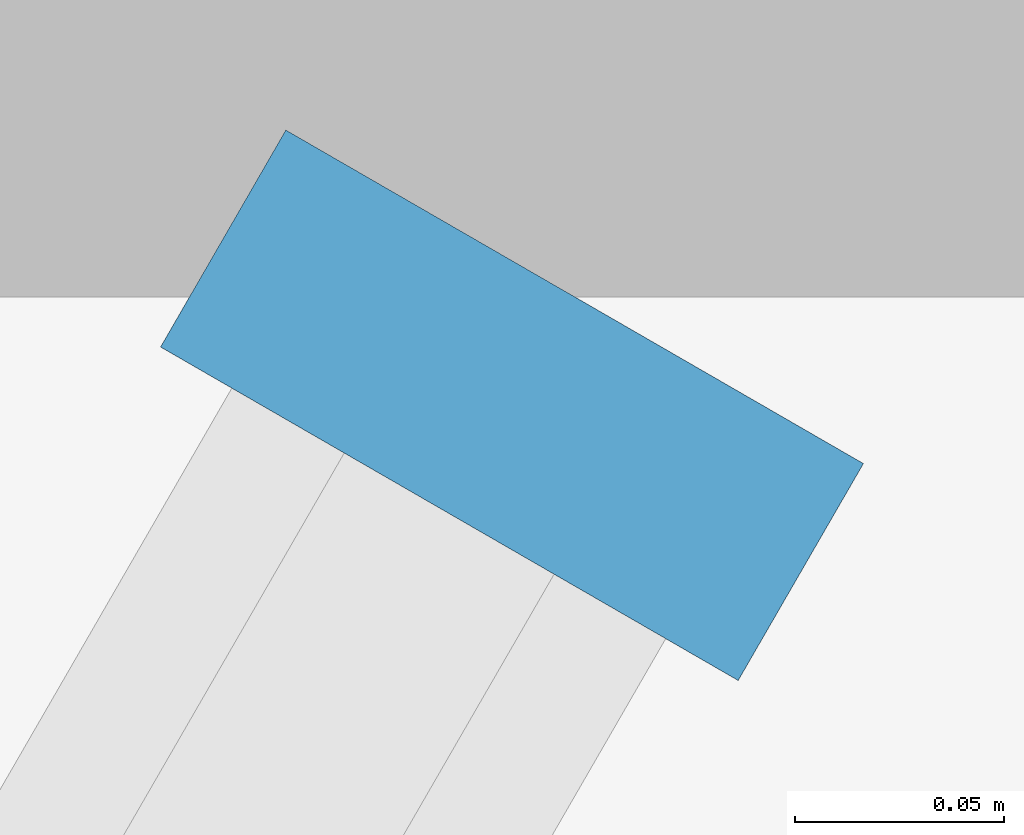
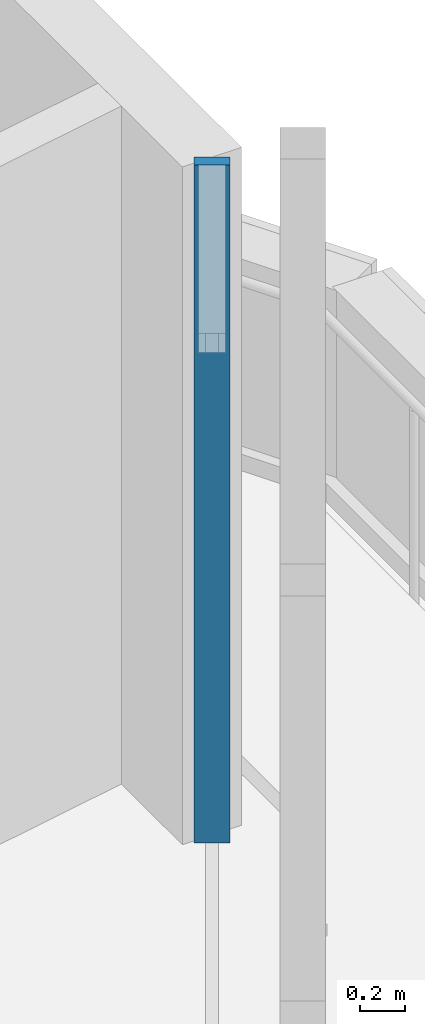
# One storey, part 54 of 127: 1 member, 1 element without a shape of its own.
"""IFC4 building model written with IfcOpenShell, lengths in metres."""

from ifc_helpers import new_model, si_unit, direction, frame, origin, origin_2d, place, context, subcontext, project, spatial, rectangle, extrude, material, material_profile, profile_set, type_object, element, aggregate, save


model = new_model("IFC4")

# Units and contexts
model_context = context("Model", 3, precision=1e-05, world=origin(), true_north=direction((0.0, 1.0)))
body_context = subcontext(model_context, "Body", "Model", "MODEL_VIEW")
ifc_project = project(units=[si_unit("LENGTHUNIT", "METRE"), si_unit("AREAUNIT", "SQUARE_METRE"), si_unit("VOLUMEUNIT", "CUBIC_METRE"), si_unit("PLANEANGLEUNIT", "RADIAN"), si_unit("MASSUNIT", "GRAM", prefix="KILO")], contexts=[model_context])

# Site, building, storey
site_placement = place(None, origin())
site = spatial("IfcSite", under=ifc_project, at=site_placement, CompositionType="ELEMENT")
building_placement = place(site_placement, origin())
building = spatial("IfcBuilding", under=site, at=building_placement, Name="Sandreach Pilgrim Tower", CompositionType="ELEMENT")
storey_placement = place(building_placement, frame((0.0, 0.0, 257.0)))
storey = spatial("IfcBuildingStorey", under=building, at=storey_placement, Name="L64", CompositionType="ELEMENT", Elevation=257.0)

# Curtain wall, member
ifc_material_1 = material(Name="Aluminium framed curtain wall", Category="aluminium")
curtain_wall_type = type_object("IfcCurtainWallType", Name="Suite tower curtain wall", PredefinedType="NOTDEFINED", material=ifc_material_1)
curtain_wall_placement = place(storey_placement, origin())
curtain_wall = element("IfcCurtainWall", 1, at=curtain_wall_placement, inside=storey, type_object=curtain_wall_type, Name="CW-4 L64 SE", PredefinedType="NOTDEFINED")
ifc_material_2 = material(Name="Aluminium extrusion", Category="aluminium")
ifc_material_profile = material_profile(ifc_material_2, rectangle(XDim=0.06005859375, YDim=0.159912109375, at=origin_2d()), Name="CW-4M 60X160")
ifc_profile_set = profile_set([ifc_material_profile], Name="Aluminium extrusion")
member_type = type_object("IfcMemberType", Name="CW-4 mullion", PredefinedType="MULLION", material=ifc_profile_set)
member_placement = place(storey_placement, frame((25.304443359375, 4.175537109375, 0.0), z_axis=(0.0, 0.0, 1.0), x_axis=(-0.5, -0.866025403784, 0.0)))
member = element("IfcMember", 2, at=member_placement, type_object=member_type, Name="CW-4 mullion 1", PredefinedType="MULLION", context=body_context, shape_type="SweptSolid", body=[
    extrude(rectangle(XDim=0.06005859375, YDim=0.159912109375, at=origin_2d()), origin(), (0.0, 0.0, 1.0), 3.639892578125),
])
aggregate(curtain_wall, [member])

save(model, "model.ifc")
